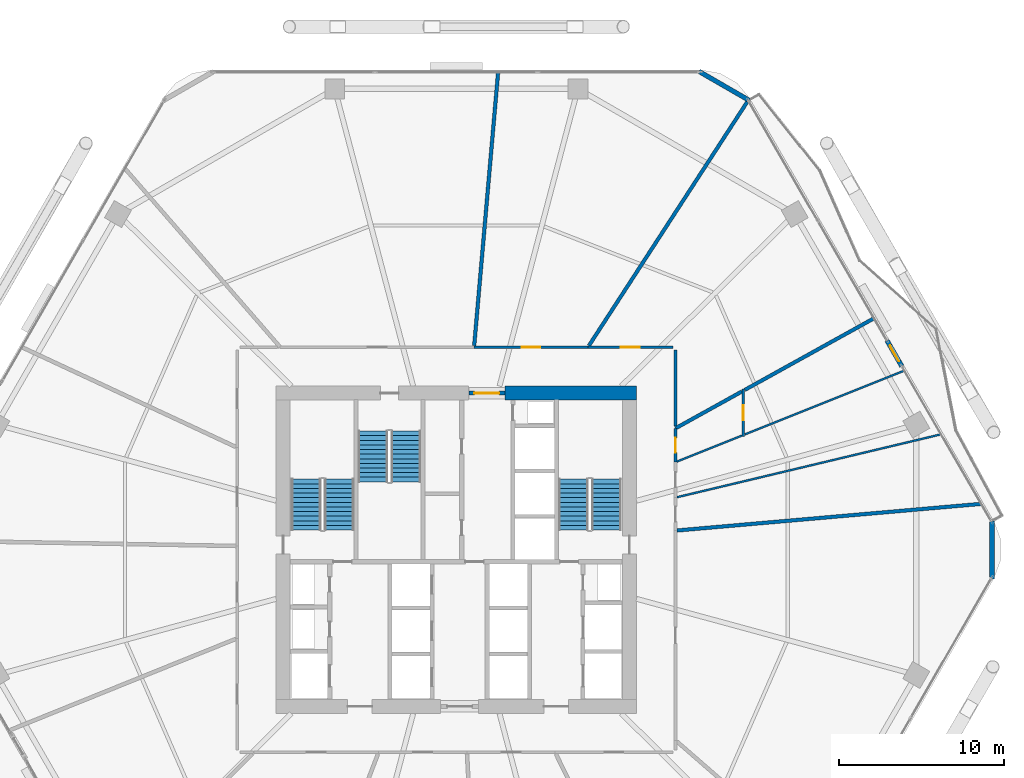
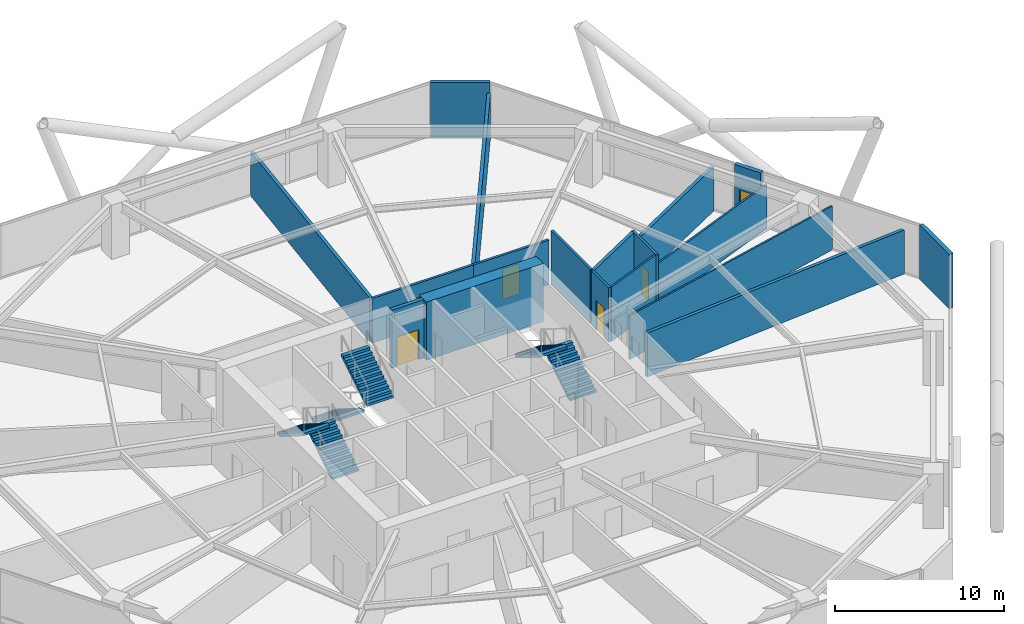
# One storey, part 27 of 30: 18 walls, 6 doors, 6 stair flights, 6 openings, 3 elements without a shape of their own.
"""IFC4 building model written with IfcOpenShell, lengths in metres."""

from ifc_helpers import new_model, si_unit, direction, frame, frame_2d, origin, place, context, subcontext, project, spatial, polyline, rectangle, outline, extrude, material, layer, layer_set, type_object, element, fill, aggregate, save


model = new_model("IFC4")

# Units and contexts
model_context = context("Model", 3, precision=1e-05, world=origin(), true_north=direction((0.0, 1.0)))
body_context = subcontext(model_context, "Body", "Model", "MODEL_VIEW")
ifc_project = project(units=[si_unit("LENGTHUNIT", "METRE"), si_unit("AREAUNIT", "SQUARE_METRE"), si_unit("VOLUMEUNIT", "CUBIC_METRE"), si_unit("PLANEANGLEUNIT", "RADIAN"), si_unit("MASSUNIT", "GRAM", prefix="KILO")], contexts=[model_context])

# Site, building, storey
site_placement = place(None, origin())
site = spatial("IfcSite", under=ifc_project, at=site_placement, CompositionType="ELEMENT")
building_placement = place(site_placement, origin())
building = spatial("IfcBuilding", under=site, at=building_placement, Name="Zuhravey Tower", CompositionType="ELEMENT")
storey_placement = place(building_placement, frame((0.0, 0.0, 16.199951171875)))
storey = spatial("IfcBuildingStorey", under=building, at=storey_placement, Name="L04", CompositionType="ELEMENT", Elevation=16.199951171875)

# Wall
ifc_material_1 = material(Name="Concrete C60/75", Category="concrete")
ifc_layer_1 = layer(ifc_material_1, 0.85009765625)
ifc_layer_set_1 = layer_set([ifc_layer_1], Name="Concrete C60/75")
wall_type_1 = type_object("IfcWallType", Name="Core Shear Wall 850", PredefinedType="SHEAR", material=ifc_layer_set_1)
wall_1_placement = place(storey_placement, frame((46.925048828125, 41.5, 0.0), z_axis=(0.0, 0.0, 1.0), x_axis=(-1.0, 0.0, 0.0)))
element("IfcWall", 1, at=wall_1_placement, inside=storey, type_object=wall_type_1, Name="L04 North-East Core Shear Wall CW85", PredefinedType="SHEAR", context=body_context, shape_type="SweptSolid", body=[
    extrude(rectangle(XDim=7.97509765625, YDim=0.85009765625, at=frame_2d((3.987548828125, 0.0))), origin(), (0.0, 0.0, 1.0), 4.199951171875),
])

# Wall, opening, door
ifc_material_2 = material(Name="Gypsum fire-rated stud partition")
ifc_layer_2 = layer(ifc_material_2, 0.159912109375)
ifc_layer_set_2 = layer_set([ifc_layer_2], Name="Gypsum fire-rated stud partition")
wall_type_2 = type_object("IfcWallType", Name="Corridor Fire Partition 160", PredefinedType="PARTITIONING", material=ifc_layer_set_2)
wall_2_placement = place(storey_placement, frame((53.405029296875, 41.7392578125, 0.0), z_axis=(0.0, 0.0, 1.0), x_axis=(0.0, -1.0, 0.0)))
wall_2 = element("IfcWall", 2, at=wall_2_placement, inside=storey, type_object=wall_type_2, Name="L04 IW16 Partition 021", PredefinedType="PARTITIONING", context=body_context, shape_type="SweptSolid", body=[
    extrude(rectangle(XDim=2.864013671875, YDim=0.159912109375, at=frame_2d((1.43212890625, 0.0))), origin(), (0.0, 0.0, 1.0), 3.920166015625),
])
opening_1_placement = place(wall_2_placement, frame((0.98193359375, 0.0, 0.0)))
opening_1 = element("IfcOpeningElement", 3, at=opening_1_placement, cuts=wall_2, Name="Opening RSD1", PredefinedType="OPENING", context=body_context, shape_type="SweptSolid", body=[
    extrude(rectangle(XDim=0.89990234375, YDim=2.10009765625, at=frame_2d((0.449951171875, 1.050048828125))), frame((0.0, 0.092041015625, 0.0), z_axis=(0.0, -1.0, 0.0), x_axis=(1.0, 0.0, 0.0)), (0.0, 0.0, 1.0), 0.183837890625),
])
ifc_material_3 = material(Name="Galvanised fire-rated steel access leaf", Category="steel")
door_type_1 = type_object("IfcDoorType", Name="Riser & Shaft Access Fire Door 900x2100", OperationType="NOTDEFINED", PredefinedType="DOOR", material=ifc_material_3)
door_1_placement = place(opening_1_placement, origin())
door_1 = element("IfcDoor", 4, at=door_1_placement, inside=storey, type_object=door_type_1, Name="L04 Door 021.1", OperationType="SINGLE_SWING_RIGHT", OverallHeight=2.10009765625, OverallWidth=0.89990234375, PredefinedType="DOOR", context=body_context, shape_type="SweptSolid", body=[
    extrude(rectangle(XDim=0.89990234375, YDim=2.10009765625, at=frame_2d((0.449951171875, 1.050048828125))), frame((0.0, 0.02490234375, 0.0), z_axis=(0.0, -1.0, 0.0), x_axis=(1.0, 0.0, 0.0)), (0.0, 0.0, 1.0), 0.050048828125),
])
fill(opening_1, door_1)

wall_3_placement = place(storey_placement, frame((49.284912109375, 37.313720703125, 0.0), z_axis=(0.0, 0.0, 1.0), x_axis=(0.0, 1.0, 0.0)))
wall_3 = element("IfcWall", 5, at=wall_3_placement, inside=storey, type_object=wall_type_2, Name="L04 IW16 Partition 022", PredefinedType="PARTITIONING", context=body_context, shape_type="SweptSolid", body=[
    extrude(rectangle(XDim=2.05029296875, YDim=0.159912109375, at=frame_2d((1.025146484375, 0.0))), origin(), (0.0, 0.0, 1.0), 3.920166015625),
])
opening_2_placement = place(wall_3_placement, frame((0.5751953125, 0.0, 0.0)))
opening_2 = element("IfcOpeningElement", 6, at=opening_2_placement, cuts=wall_3, Name="Opening RSD1", PredefinedType="OPENING", context=body_context, shape_type="SweptSolid", body=[
    extrude(rectangle(XDim=0.89990234375, YDim=2.10009765625, at=frame_2d((0.449951171875, 1.050048828125))), frame((0.0, 0.092041015625, 0.0), z_axis=(0.0, -1.0, 0.0), x_axis=(1.0, 0.0, 0.0)), (0.0, 0.0, 1.0), 0.183837890625),
])
door_2_placement = place(opening_2_placement, frame((0.89990234375, 0.0, 0.0), z_axis=(0.0, 0.0, 1.0), x_axis=(-1.0, 0.0, 0.0)))
door_2 = element("IfcDoor", 7, at=door_2_placement, inside=storey, type_object=door_type_1, Name="L04 Door 022.1", OperationType="SINGLE_SWING_LEFT", OverallHeight=2.10009765625, OverallWidth=0.89990234375, PredefinedType="DOOR", context=body_context, shape_type="SweptSolid", body=[
    extrude(rectangle(XDim=0.89990234375, YDim=2.10009765625, at=frame_2d((0.449951171875, 1.050048828125))), frame((0.0, 0.02490234375, 0.0), z_axis=(0.0, -1.0, 0.0), x_axis=(1.0, 0.0, 0.0)), (0.0, 0.0, 1.0), 0.050048828125),
])
fill(opening_2, door_2)

wall_4_placement = place(storey_placement, frame((49.125, 44.284912109375, 0.0), z_axis=(0.0, 0.0, 1.0), x_axis=(-1.0, 0.0, 0.0)))
wall_4 = element("IfcWall", 8, at=wall_4_placement, inside=storey, type_object=wall_type_2, Name="L04 IW16 Partition 023", PredefinedType="PARTITIONING", context=body_context, shape_type="SweptSolid", body=[
    extrude(rectangle(XDim=5.14697265625, YDim=0.159912109375, at=frame_2d((2.573486328125, 0.0))), origin(), (0.0, 0.0, 1.0), 3.219970703125),
])
opening_3_placement = place(wall_4_placement, frame((1.99853515625, 0.0, 0.0)))
opening_3 = element("IfcOpeningElement", 9, at=opening_3_placement, cuts=wall_4, Name="Opening CLD1", PredefinedType="OPENING", context=body_context, shape_type="SweptSolid", body=[
    extrude(rectangle(XDim=1.14990234375, YDim=2.199951171875, at=frame_2d((0.574951171875, 1.10009765625))), frame((0.0, 0.092041015625, 0.0), z_axis=(0.0, -1.0, 0.0), x_axis=(1.0, 0.0, 0.0)), (0.0, 0.0, 1.0), 0.183837890625),
])
ifc_material_4 = material(Name="Acoustic timber leaf with vision lite", Category="wood")
door_type_2 = type_object("IfcDoorType", Name="Classroom Acoustic Door 1150x2200", OperationType="NOTDEFINED", PredefinedType="DOOR", material=ifc_material_4)
door_3_placement = place(opening_3_placement, frame((1.14990234375, 0.0, 0.0), z_axis=(0.0, 0.0, 1.0), x_axis=(-1.0, 0.0, 0.0)))
door_3 = element("IfcDoor", 10, at=door_3_placement, inside=storey, type_object=door_type_2, Name="L04 Door 023.1", OperationType="SINGLE_SWING_RIGHT", OverallHeight=2.199951171875, OverallWidth=1.14990234375, PredefinedType="DOOR", context=body_context, shape_type="SweptSolid", body=[
    extrude(rectangle(XDim=1.14990234375, YDim=2.199951171875, at=frame_2d((0.574951171875, 1.10009765625))), frame((0.0, 0.02490234375, 0.0), z_axis=(0.0, -1.0, 0.0), x_axis=(1.0, 0.0, 0.0)), (0.0, 0.0, 1.0), 0.050048828125),
])
fill(opening_3, door_3)

wall_5_placement = place(storey_placement, frame((43.97802734375, 44.284912109375, 0.0), z_axis=(0.0, 0.0, 1.0), x_axis=(-1.0, 0.0, 0.0)))
wall_5 = element("IfcWall", 11, at=wall_5_placement, inside=storey, type_object=wall_type_2, Name="L04 IW16 Partition 024", PredefinedType="PARTITIONING", context=body_context, shape_type="SweptSolid", body=[
    extrude(rectangle(XDim=6.9033203125, YDim=0.159912109375, at=frame_2d((3.45166015625, 0.0))), origin(), (0.0, 0.0, 1.0), 3.219970703125),
])
opening_4_placement = place(wall_5_placement, frame((2.876708984375, 0.0, 0.0)))
opening_4 = element("IfcOpeningElement", 12, at=opening_4_placement, cuts=wall_5, Name="Opening CLD1", PredefinedType="OPENING", context=body_context, shape_type="SweptSolid", body=[
    extrude(rectangle(XDim=1.14990234375, YDim=2.199951171875, at=frame_2d((0.574951171875, 1.10009765625))), frame((0.0, 0.092041015625, 0.0), z_axis=(0.0, -1.0, 0.0), x_axis=(1.0, 0.0, 0.0)), (0.0, 0.0, 1.0), 0.183837890625),
])
door_4_placement = place(opening_4_placement, frame((1.14990234375, 0.0, 0.0), z_axis=(0.0, 0.0, 1.0), x_axis=(-1.0, 0.0, 0.0)))
door_4 = element("IfcDoor", 13, at=door_4_placement, inside=storey, type_object=door_type_2, Name="L04 Door 024.1", OperationType="SINGLE_SWING_LEFT", OverallHeight=2.199951171875, OverallWidth=1.14990234375, PredefinedType="DOOR", context=body_context, shape_type="SweptSolid", body=[
    extrude(rectangle(XDim=1.14990234375, YDim=2.199951171875, at=frame_2d((0.574951171875, 1.10009765625))), frame((0.0, 0.02490234375, 0.0), z_axis=(0.0, -1.0, 0.0), x_axis=(1.0, 0.0, 0.0)), (0.0, 0.0, 1.0), 0.050048828125),
])
fill(opening_4, door_4)

# Walls
wall_6_placement = place(storey_placement, frame((49.284912109375, 39.498779296875, 0.0), z_axis=(0.0, 0.0, 1.0), x_axis=(0.0, 1.0, 0.0)))
element("IfcWall", 14, at=wall_6_placement, inside=storey, type_object=wall_type_2, Name="L04 IW16 Partition 050", PredefinedType="PARTITIONING", context=body_context, shape_type="SweptSolid", body=[
    extrude(rectangle(XDim=4.626220703125, YDim=0.159912109375, at=frame_2d((2.31298828125, 0.0))), origin(), (0.0, 0.0, 1.0), 3.920166015625),
])
ifc_material_5 = material(Name="Precast concrete C40/50", Category="concrete")
ifc_layer_3 = layer(ifc_material_5, 0.280029296875)
ifc_layer_set_3 = layer_set([ifc_layer_3], Name="Precast concrete C40/50")
wall_type_3 = type_object("IfcWallType", Name="Crown Architectural Wall 280", PredefinedType="SOLIDWALL", material=ifc_layer_set_3)
wall_7_placement = place(storey_placement, frame((50.71728515625, 61.006103515625, 0.0), z_axis=(0.0, 0.0, 1.0), x_axis=(0.866007452331, -0.500031091541, 0.0)))
element("IfcWall", 15, at=wall_7_placement, inside=storey, type_object=wall_type_3, Name="L04 Rounded Corner Closure Wall EW28-10", PredefinedType="SOLIDWALL", context=body_context, shape_type="SweptSolid", body=[
    extrude(rectangle(XDim=3.514892578125, YDim=0.280029296875, at=frame_2d((1.75732421875, 0.0))), origin(), (0.0, 0.0, 1.0), 3.920166015625),
])

# Wall, opening, door
wall_8_placement = place(storey_placement, frame((62.114013671875, 44.68603515625, 0.0), z_axis=(0.0, 0.0, 1.0), x_axis=(0.499982180423, -0.866035691677, 0.0)))
wall_8 = element("IfcWall", 16, at=wall_8_placement, inside=storey, type_object=wall_type_3, Name="L04 Face 1 Facade Pier EW28-1", PredefinedType="SOLIDWALL", context=body_context, shape_type="SweptSolid", body=[
    extrude(rectangle(XDim=1.7900390625, YDim=0.280029296875, at=frame_2d((0.89501953125, 0.0))), origin(), (0.0, 0.0, 1.0), 3.920166015625),
])
opening_5_placement = place(wall_8_placement, frame((0.344970703125, 0.0, 0.0)))
opening_5 = element("IfcOpeningElement", 17, at=opening_5_placement, cuts=wall_8, Name="Opening BLD1", PredefinedType="OPENING", context=body_context, shape_type="SweptSolid", body=[
    extrude(rectangle(XDim=1.10009765625, YDim=2.199951171875, at=frame_2d((0.550048828125, 1.10009765625))), frame((0.0, 0.152099609375, 0.0), z_axis=(0.0, -1.0, 0.0), x_axis=(1.0, 0.0, 0.0)), (0.0, 0.0, 1.0), 0.303955078125),
])
ifc_material_6 = material(Name="Thermally broken aluminium and low-E glass", Category="aluminium")
door_type_3 = type_object("IfcDoorType", Name="Balcony & Sky-Tray Glazed Door 1100x2200", OperationType="NOTDEFINED", PredefinedType="DOOR", material=ifc_material_6)
door_5_placement = place(opening_5_placement, frame((1.10009765625, 0.0, 0.0), z_axis=(0.0, 0.0, 1.0), x_axis=(-1.0, 0.0, 0.0)))
door_5 = element("IfcDoor", 18, at=door_5_placement, inside=storey, type_object=door_type_3, Name="L04 Face 1 School Wave Terrace Door", OperationType="SINGLE_SWING_LEFT", OverallHeight=2.199951171875, OverallWidth=1.10009765625, PredefinedType="DOOR", context=body_context, shape_type="SweptSolid", body=[
    extrude(rectangle(XDim=1.10009765625, YDim=2.199951171875, at=frame_2d((0.550048828125, 1.10009765625))), frame((0.0, 0.02490234375, 0.0), z_axis=(0.0, -1.0, 0.0), x_axis=(1.0, 0.0, 0.0)), (0.0, 0.0, 1.0), 0.050048828125),
])
fill(opening_5, door_5)

# Wall
wall_9_placement = place(storey_placement, frame((68.478515625, 33.757568359375, 0.0), z_axis=(0.0, 0.0, 1.0), x_axis=(0.0, -1.0, 0.0)))
element("IfcWall", 19, at=wall_9_placement, inside=storey, type_object=wall_type_3, Name="L04 Rounded Corner Closure Wall EW28-12", PredefinedType="SOLIDWALL", context=body_context, shape_type="SweptSolid", body=[
    extrude(rectangle(XDim=3.51513671875, YDim=0.280029296875, at=frame_2d((1.757568359375, 0.0))), origin(), (0.0, 0.0, 1.0), 3.920166015625),
])

# Wall, opening, door
ifc_material_7 = material(Name="Concrete C50/60", Category="concrete")
ifc_layer_4 = layer(ifc_material_7, 0.25)
ifc_layer_set_4 = layer_set([ifc_layer_4], Name="Concrete C50/60")
wall_type_4 = type_object("IfcWallType", Name="Firefighting Shaft & Stair Wall 250", PredefinedType="SOLIDWALL", material=ifc_layer_set_4)
wall_10_placement = place(storey_placement, frame((36.760009765625, 41.5, 0.0), z_axis=(0.0, 0.0, 1.0), x_axis=(1.0, 0.0, 0.0)))
wall_10 = element("IfcWall", 20, at=wall_10_placement, inside=storey, type_object=wall_type_4, Name="L04 FW25 Shaft Wall 002", PredefinedType="SOLIDWALL", context=body_context, shape_type="SweptSolid", body=[
    extrude(rectangle(XDim=2.179931640625, YDim=0.25, at=frame_2d((1.08984375, 0.0))), origin(), (0.0, 0.0, 1.0), 4.199951171875),
])
opening_6_placement = place(wall_10_placement, frame((0.340087890625, 0.0, 0.0)))
opening_6 = element("IfcOpeningElement", 21, at=opening_6_placement, cuts=wall_10, Name="Opening FFD1", PredefinedType="OPENING", context=body_context, shape_type="SweptSolid", body=[
    extrude(rectangle(XDim=1.5, YDim=2.14990234375, at=frame_2d((0.75, 1.074951171875))), frame((0.0, 0.136962890625, 0.0), z_axis=(0.0, -1.0, 0.0), x_axis=(1.0, 0.0, 0.0)), (0.0, 0.0, 1.0), 0.27392578125),
])
ifc_material_8 = material(Name="Galvanised fire-rated steel leaf", Category="steel")
door_type_4 = type_object("IfcDoorType", Name="Firefighting Lobby Double Door 1500x2150", OperationType="DOUBLE_DOOR_SINGLE_SWING", PredefinedType="DOOR", material=ifc_material_8)
door_6_placement = place(opening_6_placement, origin())
door_6 = element("IfcDoor", 22, at=door_6_placement, inside=storey, type_object=door_type_4, Name="L04 North Lift Lobby Exit Door", OperationType="DOUBLE_DOOR_SINGLE_SWING", OverallHeight=2.14990234375, OverallWidth=1.5, PredefinedType="DOOR", context=body_context, shape_type="SweptSolid", body=[
    extrude(rectangle(XDim=1.5, YDim=2.14990234375, at=frame_2d((0.75, 1.074951171875))), frame((0.0, 0.02490234375, 0.0), z_axis=(0.0, -1.0, 0.0), x_axis=(1.0, 0.0, 0.0)), (0.0, 0.0, 1.0), 0.050048828125),
])
fill(opening_6, door_6)

# Walls
ifc_material_9 = material(Name="Gypsum acoustic stud assembly")
ifc_layer_5 = layer(ifc_material_9, 0.219970703125)
ifc_layer_set_5 = layer_set([ifc_layer_5], Name="Gypsum acoustic stud assembly")
wall_type_5 = type_object("IfcWallType", Name="School Acoustic Compartment Wall 220", PredefinedType="PARTITIONING", material=ifc_layer_set_5)
wall_11_placement = place(storey_placement, frame((49.373046875, 33.169921875, 0.0), z_axis=(0.0, 0.0, 1.0), x_axis=(0.99619391773, 0.087164661858, 0.0)))
element("IfcWall", 23, at=wall_11_placement, inside=storey, type_object=wall_type_5, Name="L04 IW22 Partition 043", PredefinedType="PARTITIONING", context=body_context, shape_type="SweptSolid", body=[
    extrude(rectangle(XDim=18.528076171875, YDim=0.219970703125, at=frame_2d((9.26416015625, 0.0))), origin(), (0.0, 0.0, 1.0), 3.170166015625),
])
wall_12_placement = place(storey_placement, frame((49.284912109375, 39.364013671875, 0.0), z_axis=(0.0, 0.0, 1.0), x_axis=(0.874606547494, 0.484833360115, 0.0)))
element("IfcWall", 24, at=wall_12_placement, inside=storey, type_object=wall_type_5, Name="L04 IW22 Partition 047", PredefinedType="PARTITIONING", context=body_context, shape_type="SweptSolid", body=[
    extrude(rectangle(XDim=4.610107421875, YDim=0.219970703125, at=frame_2d((2.30517578125, 0.0))), origin(), (0.0, 0.0, 1.0), 3.920166015625),
])
wall_13_placement = place(storey_placement, frame((53.492919921875, 41.696533203125, 0.0), z_axis=(0.0, 0.0, 1.0), x_axis=(0.874622025543, 0.484805437711, 0.0)))
element("IfcWall", 25, at=wall_13_placement, inside=storey, type_object=wall_type_5, Name="L04 IW22 Partition 048", PredefinedType="PARTITIONING", context=body_context, shape_type="SweptSolid", body=[
    extrude(rectangle(XDim=8.96240234375, YDim=0.219970703125, at=frame_2d((4.481201171875, 0.0))), origin(), (0.0, 0.0, 1.0), 3.170166015625),
])
wall_14_placement = place(storey_placement, frame((44.03515625, 44.373046875, 0.0), z_axis=(0.0, 0.0, 1.0), x_axis=(0.544634848015, 0.838673287, 0.0)))
element("IfcWall", 26, at=wall_14_placement, inside=storey, type_object=wall_type_5, Name="L04 IW22 Partition 049", PredefinedType="PARTITIONING", context=body_context, shape_type="SweptSolid", body=[
    extrude(rectangle(XDim=17.747802734375, YDim=0.219970703125, at=frame_2d((8.8740234375, 0.0))), origin(), (0.0, 0.0, 1.0), 3.170166015625),
])
wall_15_placement = place(storey_placement, frame((37.08251953125, 44.373046875, 0.0), z_axis=(0.0, 0.0, 1.0), x_axis=(0.087149123156, 0.996195277209, 0.0)))
element("IfcWall", 27, at=wall_15_placement, inside=storey, type_object=wall_type_5, Name="L04 IW22 Partition 051", PredefinedType="PARTITIONING", context=body_context, shape_type="SweptSolid", body=[
    extrude(rectangle(XDim=16.648681640625, YDim=0.219970703125, at=frame_2d((8.32421875, 0.0))), origin(), (0.0, 0.0, 1.0), 3.170166015625),
])
ifc_material_10 = material(Name="Gypsum metal-stud partition")
ifc_layer_6 = layer(ifc_material_10, 0.1201171875)
ifc_layer_set_6 = layer_set([ifc_layer_6], Name="Gypsum metal-stud partition")
wall_type_6 = type_object("IfcWallType", Name="Unit Internal Partition 120", PredefinedType="PARTITIONING", material=ifc_layer_set_6)
wall_16_placement = place(storey_placement, frame((49.373046875, 35.185791015625, 0.0), z_axis=(0.0, 0.0, 1.0), x_axis=(0.972774396977, 0.231754120968, 0.0)))
element("IfcWall", 28, at=wall_16_placement, inside=storey, type_object=wall_type_6, Name="L04 IW12 Partition 044", PredefinedType="PARTITIONING", context=body_context, shape_type="SweptSolid", body=[
    extrude(rectangle(XDim=16.470703125, YDim=0.1201171875, at=frame_2d((8.2353515625, 0.0))), origin(), (0.0, 0.0, 1.0), 3.170166015625),
])
wall_17_placement = place(storey_placement, frame((49.373046875, 37.348876953125, 0.0), z_axis=(0.0, 0.0, 1.0), x_axis=(0.928488582268, 0.371360946517, 0.0)))
element("IfcWall", 29, at=wall_17_placement, inside=storey, type_object=wall_type_6, Name="L04 IW12 Partition 045", PredefinedType="PARTITIONING", context=body_context, shape_type="SweptSolid", body=[
    extrude(rectangle(XDim=4.24755859375, YDim=0.1201171875, at=frame_2d((2.123779296875, 0.0))), origin(), (0.0, 0.0, 1.0), 3.920166015625),
])
wall_18_placement = place(storey_placement, frame((53.492919921875, 38.99658203125, 0.0), z_axis=(0.0, 0.0, 1.0), x_axis=(0.928486388213, 0.371366432117, 0.0)))
element("IfcWall", 30, at=wall_18_placement, inside=storey, type_object=wall_type_6, Name="L04 IW12 Partition 046", PredefinedType="PARTITIONING", context=body_context, shape_type="SweptSolid", body=[
    extrude(rectangle(XDim=10.417236328125, YDim=0.1201171875, at=frame_2d((5.20849609375, 0.0))), origin(), (0.0, 0.0, 1.0), 3.170166015625),
])

# Stair, stair flights
ifc_material_11 = material(Name="Concrete C40/50", Category="concrete")
stair_type = type_object("IfcStairType", Name="School Storey Stair Assembly 4200", PredefinedType="HALF_TURN_STAIR", material=ifc_material_11)
stair_1_placement = place(storey_placement, origin())
stair_1 = element("IfcStair", 31, at=stair_1_placement, inside=storey, type_object=stair_type, Name="L04 Core Exit Stair ST1", PredefinedType="HALF_TURN_STAIR")
stair_flight_type = type_object("IfcStairFlightType", Name="School Storey Stair Flight 4200", PredefinedType="STRAIGHT", material=ifc_material_11)
stair_flight_1_placement = place(storey_placement, frame((28.89990234375, 33.199951171875, 0.0), z_axis=(0.0, 0.0, 1.0), x_axis=(0.0, 1.0, 0.0)))
stair_flight_1 = element("IfcStairFlight", 32, at=stair_flight_1_placement, type_object=stair_flight_type, Name="ST1 flight 1", NumberOfRisers=12, NumberOfTreads=11, PredefinedType="STRAIGHT", RiserHeight=0.175, TreadLength=0.28, context=body_context, shape_type="SweptSolid", body=[
    extrude(outline(polyline([(0.0, 0.0), (0.0, 0.175048828125), (0.280029296875, 0.175048828125), (0.280029296875, 0.35009765625), (0.56005859375, 0.35009765625), (0.56005859375, 0.52490234375), (0.840087890625, 0.52490234375), (0.840087890625, 0.699951171875), (1.1201171875, 0.699951171875), (1.1201171875, 0.875), (1.39990234375, 0.875), (1.39990234375, 1.050048828125), (1.679931640625, 1.050048828125), (1.679931640625, 1.22509765625), (1.9599609375, 1.22509765625), (1.9599609375, 1.39990234375), (2.239990234375, 1.39990234375), (2.239990234375, 1.574951171875), (2.52001953125, 1.574951171875), (2.52001953125, 1.75), (2.800048828125, 1.75), (2.800048828125, 1.925048828125), (3.080078125, 1.925048828125), (3.080078125, 2.10009765625), (3.080078125, 1.748291015625), (0.28271484375, 0.0), (0.0, 0.0)])), frame((0.0, 0.89990234375, 0.0), z_axis=(0.0, -1.0, 0.0), x_axis=(1.0, 0.0, 0.0)), (0.0, 0.0, 1.0), 1.800048828125),
])
stair_flight_2_placement = place(storey_placement, frame((26.89990234375, 36.280029296875, 2.10009765625), z_axis=(0.0, 0.0, 1.0), x_axis=(0.0, -1.0, 0.0)))
stair_flight_2 = element("IfcStairFlight", 33, at=stair_flight_2_placement, type_object=stair_flight_type, Name="ST1 flight 2", NumberOfRisers=12, NumberOfTreads=11, PredefinedType="STRAIGHT", RiserHeight=0.175, TreadLength=0.28, context=body_context, shape_type="SweptSolid", body=[
    extrude(outline(polyline([(0.0, 0.0), (0.0, 0.175048828125), (0.280029296875, 0.175048828125), (0.280029296875, 0.35009765625), (0.56005859375, 0.35009765625), (0.56005859375, 0.52490234375), (0.840087890625, 0.52490234375), (0.840087890625, 0.699951171875), (1.1201171875, 0.699951171875), (1.1201171875, 0.875), (1.39990234375, 0.875), (1.39990234375, 1.050048828125), (1.679931640625, 1.050048828125), (1.679931640625, 1.22509765625), (1.9599609375, 1.22509765625), (1.9599609375, 1.39990234375), (2.239990234375, 1.39990234375), (2.239990234375, 1.574951171875), (2.52001953125, 1.574951171875), (2.52001953125, 1.75), (2.800048828125, 1.75), (2.800048828125, 1.925048828125), (3.080078125, 1.925048828125), (3.080078125, 2.10009765625), (3.080078125, 1.748291015625), (0.28271484375, 0.0), (0.0, 0.0)])), frame((0.0, 0.89990234375, 0.0), z_axis=(0.0, -1.0, 0.0), x_axis=(1.0, 0.0, 0.0)), (0.0, 0.0, 1.0), 1.800048828125),
])
aggregate(stair_1, [stair_flight_1, stair_flight_2])

stair_2_placement = place(storey_placement, origin())
stair_2 = element("IfcStair", 34, at=stair_2_placement, inside=storey, type_object=stair_type, Name="L04 Core Exit Stair ST2", PredefinedType="HALF_TURN_STAIR")
stair_flight_3_placement = place(storey_placement, frame((45.10009765625, 33.199951171875, 0.0), z_axis=(0.0, 0.0, 1.0), x_axis=(0.0, 1.0, 0.0)))
stair_flight_3 = element("IfcStairFlight", 35, at=stair_flight_3_placement, type_object=stair_flight_type, Name="ST2 flight 1", NumberOfRisers=12, NumberOfTreads=11, PredefinedType="STRAIGHT", RiserHeight=0.175, TreadLength=0.28, context=body_context, shape_type="SweptSolid", body=[
    extrude(outline(polyline([(0.0, 0.0), (0.0, 0.175048828125), (0.280029296875, 0.175048828125), (0.280029296875, 0.35009765625), (0.56005859375, 0.35009765625), (0.56005859375, 0.52490234375), (0.840087890625, 0.52490234375), (0.840087890625, 0.699951171875), (1.1201171875, 0.699951171875), (1.1201171875, 0.875), (1.39990234375, 0.875), (1.39990234375, 1.050048828125), (1.679931640625, 1.050048828125), (1.679931640625, 1.22509765625), (1.9599609375, 1.22509765625), (1.9599609375, 1.39990234375), (2.239990234375, 1.39990234375), (2.239990234375, 1.574951171875), (2.52001953125, 1.574951171875), (2.52001953125, 1.75), (2.800048828125, 1.75), (2.800048828125, 1.925048828125), (3.080078125, 1.925048828125), (3.080078125, 2.10009765625), (3.080078125, 1.748291015625), (0.28271484375, 0.0), (0.0, 0.0)])), frame((0.0, 0.89990234375, 0.0), z_axis=(0.0, -1.0, 0.0), x_axis=(1.0, 0.0, 0.0)), (0.0, 0.0, 1.0), 1.800048828125),
])
stair_flight_4_placement = place(storey_placement, frame((43.10009765625, 36.280029296875, 2.10009765625), z_axis=(0.0, 0.0, 1.0), x_axis=(0.0, -1.0, 0.0)))
stair_flight_4 = element("IfcStairFlight", 36, at=stair_flight_4_placement, type_object=stair_flight_type, Name="ST2 flight 2", NumberOfRisers=12, NumberOfTreads=11, PredefinedType="STRAIGHT", RiserHeight=0.175, TreadLength=0.28, context=body_context, shape_type="SweptSolid", body=[
    extrude(outline(polyline([(0.0, 0.0), (0.0, 0.175048828125), (0.280029296875, 0.175048828125), (0.280029296875, 0.35009765625), (0.56005859375, 0.35009765625), (0.56005859375, 0.52490234375), (0.840087890625, 0.52490234375), (0.840087890625, 0.699951171875), (1.1201171875, 0.699951171875), (1.1201171875, 0.875), (1.39990234375, 0.875), (1.39990234375, 1.050048828125), (1.679931640625, 1.050048828125), (1.679931640625, 1.22509765625), (1.9599609375, 1.22509765625), (1.9599609375, 1.39990234375), (2.239990234375, 1.39990234375), (2.239990234375, 1.574951171875), (2.52001953125, 1.574951171875), (2.52001953125, 1.75), (2.800048828125, 1.75), (2.800048828125, 1.925048828125), (3.080078125, 1.925048828125), (3.080078125, 2.10009765625), (3.080078125, 1.748291015625), (0.28271484375, 0.0), (0.0, 0.0)])), frame((0.0, 0.89990234375, 0.0), z_axis=(0.0, -1.0, 0.0), x_axis=(1.0, 0.0, 0.0)), (0.0, 0.0, 1.0), 1.800048828125),
])
aggregate(stair_2, [stair_flight_3, stair_flight_4])

stair_3_placement = place(storey_placement, origin())
stair_3 = element("IfcStair", 37, at=stair_3_placement, inside=storey, type_object=stair_type, Name="L04 Core Exit Stair ST3", PredefinedType="HALF_TURN_STAIR")
stair_flight_5_placement = place(storey_placement, frame((30.949951171875, 39.199951171875, 0.0), z_axis=(0.0, 0.0, 1.0), x_axis=(0.0, -1.0, 0.0)))
stair_flight_5 = element("IfcStairFlight", 38, at=stair_flight_5_placement, type_object=stair_flight_type, Name="ST3 flight 1", NumberOfRisers=12, NumberOfTreads=11, PredefinedType="STRAIGHT", RiserHeight=0.175, TreadLength=0.28, context=body_context, shape_type="SweptSolid", body=[
    extrude(outline(polyline([(0.0, 0.0), (0.0, 0.175048828125), (0.280029296875, 0.175048828125), (0.280029296875, 0.35009765625), (0.56005859375, 0.35009765625), (0.56005859375, 0.52490234375), (0.840087890625, 0.52490234375), (0.840087890625, 0.699951171875), (1.1201171875, 0.699951171875), (1.1201171875, 0.875), (1.39990234375, 0.875), (1.39990234375, 1.050048828125), (1.679931640625, 1.050048828125), (1.679931640625, 1.22509765625), (1.9599609375, 1.22509765625), (1.9599609375, 1.39990234375), (2.239990234375, 1.39990234375), (2.239990234375, 1.574951171875), (2.52001953125, 1.574951171875), (2.52001953125, 1.75), (2.800048828125, 1.75), (2.800048828125, 1.925048828125), (3.080078125, 1.925048828125), (3.080078125, 2.10009765625), (3.080078125, 1.748291015625), (0.28271484375, 0.0), (0.0, 0.0)])), frame((0.0, 0.89990234375, 0.0), z_axis=(0.0, -1.0, 0.0), x_axis=(1.0, 0.0, 0.0)), (0.0, 0.0, 1.0), 1.800048828125),
])
stair_flight_6_placement = place(storey_placement, frame((32.949951171875, 36.1201171875, 2.10009765625), z_axis=(0.0, 0.0, 1.0), x_axis=(0.0, 1.0, 0.0)))
stair_flight_6 = element("IfcStairFlight", 39, at=stair_flight_6_placement, type_object=stair_flight_type, Name="ST3 flight 2", NumberOfRisers=12, NumberOfTreads=11, PredefinedType="STRAIGHT", RiserHeight=0.175, TreadLength=0.28, context=body_context, shape_type="SweptSolid", body=[
    extrude(outline(polyline([(0.0, 0.0), (0.0, 0.175048828125), (0.280029296875, 0.175048828125), (0.280029296875, 0.35009765625), (0.56005859375, 0.35009765625), (0.56005859375, 0.52490234375), (0.840087890625, 0.52490234375), (0.840087890625, 0.699951171875), (1.1201171875, 0.699951171875), (1.1201171875, 0.875), (1.39990234375, 0.875), (1.39990234375, 1.050048828125), (1.679931640625, 1.050048828125), (1.679931640625, 1.22509765625), (1.9599609375, 1.22509765625), (1.9599609375, 1.39990234375), (2.239990234375, 1.39990234375), (2.239990234375, 1.574951171875), (2.52001953125, 1.574951171875), (2.52001953125, 1.75), (2.800048828125, 1.75), (2.800048828125, 1.925048828125), (3.080078125, 1.925048828125), (3.080078125, 2.10009765625), (3.080078125, 1.748291015625), (0.28271484375, 0.0), (0.0, 0.0)])), frame((0.0, 0.89990234375, 0.0), z_axis=(0.0, -1.0, 0.0), x_axis=(1.0, 0.0, 0.0)), (0.0, 0.0, 1.0), 1.800048828125),
])
aggregate(stair_3, [stair_flight_5, stair_flight_6])

save(model, "model.ifc")
